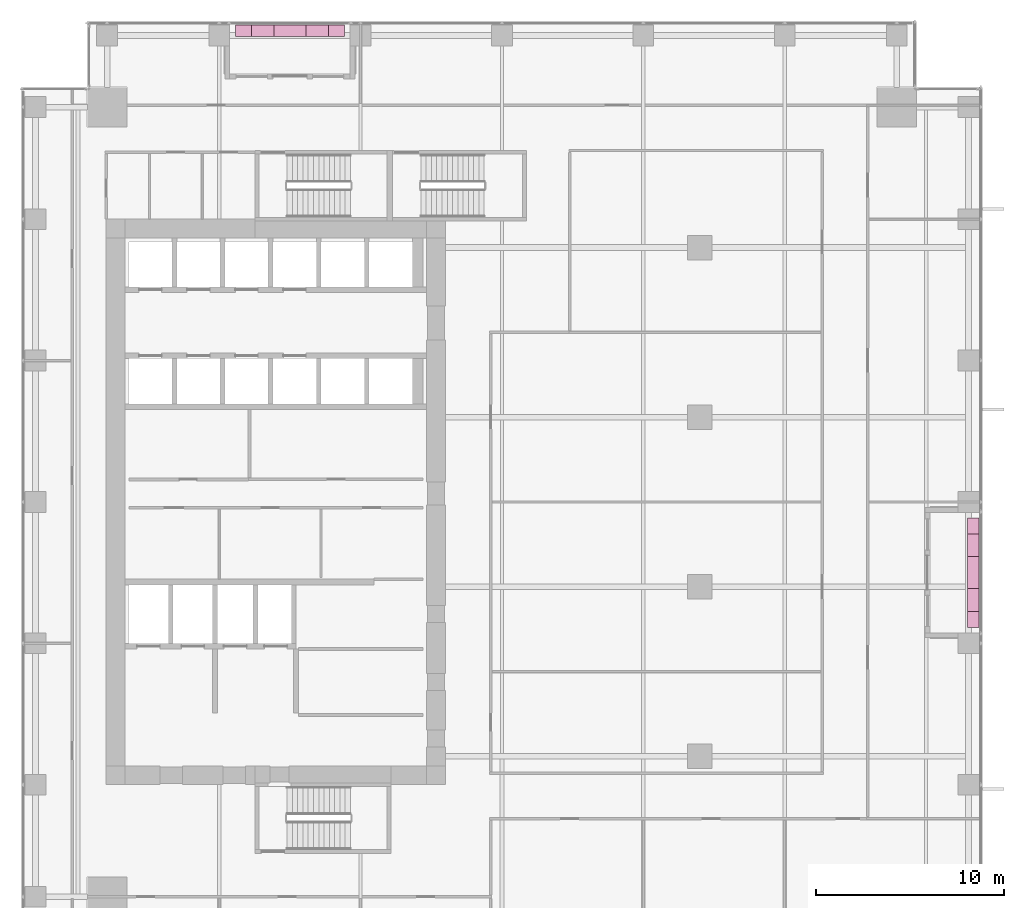
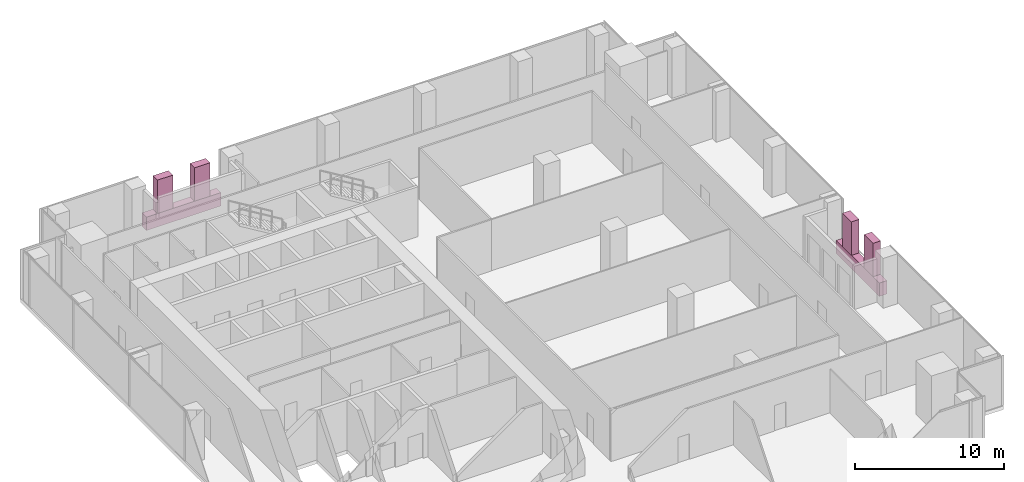
# One storey, part 34 of 34: 6 furnishings.
"""IFC4 building model written with IfcOpenShell, lengths in metres."""

from ifc_helpers import new_model, si_unit, direction, frame, origin, origin_2d, place, context, subcontext, project, spatial, rectangle, extrude, source, transform, mapped, material, type_object, element, save


model = new_model("IFC4")

# Units and contexts
model_context = context("Model", 3, precision=1e-05, world=origin(), true_north=direction((0.0, 1.0)))
body_context = subcontext(model_context, "Body", "Model", "MODEL_VIEW")
ifc_project = project(units=[si_unit("LENGTHUNIT", "METRE"), si_unit("AREAUNIT", "SQUARE_METRE"), si_unit("VOLUMEUNIT", "CUBIC_METRE"), si_unit("PLANEANGLEUNIT", "RADIAN"), si_unit("MASSUNIT", "GRAM", prefix="KILO")], contexts=[model_context])

# Site, building, storey
site_placement = place(None, origin())
site = spatial("IfcSite", under=ifc_project, at=site_placement, CompositionType="ELEMENT")
building_placement = place(site_placement, origin())
building = spatial("IfcBuilding", under=site, at=building_placement, Name="Khomas Fold Tower", CompositionType="ELEMENT")
storey_placement = place(building_placement, frame((0.0, 0.0, 105.89990234375)))
storey = spatial("IfcBuildingStorey", under=building, at=storey_placement, Name="L22", CompositionType="ELEMENT", Elevation=105.89990234375)

# Furnishings
ifc_material_1 = material(Name="Planting")
furnishing_element_type_1 = type_object("IfcFurnishingElementType", Name="BL-Tree Wild olive", material=ifc_material_1)
shared_shape_1 = source(origin(), body_context, "Body", "SweptSolid", [
    extrude(rectangle(XDim=1.199951171875, YDim=0.60009765625, at=origin_2d()), origin(), (0.0, 0.0, 1.0), 2.7451171875),
])
furnishing_1_placement = place(storey_placement, frame((14.300048828125, 52.0, 1.054931640625), z_axis=(0.0, 0.0, 1.0), x_axis=(1.0, 0.0, 0.0)))
element("IfcFurnishingElement", 1, at=furnishing_1_placement, inside=storey, type_object=furnishing_element_type_1, Name="PLANTER (TREE) Wild olive BAL-L22-N1-1", context=body_context, shape_type="MappedRepresentation", body=[
    mapped(shared_shape_1, transform((0.0, 0.0, 0.0))),
])
ifc_material_2 = material(Name="Planting")
furnishing_element_type_2 = type_object("IfcFurnishingElementType", Name="BL-Tree Shepherd's tree", material=ifc_material_2)
furnishing_2_placement = place(storey_placement, frame((17.199951171875, 52.0, 1.054931640625), z_axis=(0.0, 0.0, 1.0), x_axis=(1.0, 0.0, 0.0)))
element("IfcFurnishingElement", 2, at=furnishing_2_placement, inside=storey, type_object=furnishing_element_type_2, Name="PLANTER (TREE) Shepherd's tree BAL-L22-N1-2", context=body_context, shape_type="MappedRepresentation", body=[
    mapped(shared_shape_1, transform((0.0, 0.0, 0.0))),
])
furnishing_3_placement = place(storey_placement, frame((52.0, 21.800048828125, 1.054931640625), z_axis=(0.0, 0.0, 1.0), x_axis=(0.0, 1.0, 0.0)))
element("IfcFurnishingElement", 3, at=furnishing_3_placement, inside=storey, type_object=furnishing_element_type_1, Name="PLANTER (TREE) Wild olive BAL-L22-E2-1", context=body_context, shape_type="MappedRepresentation", body=[
    mapped(shared_shape_1, transform((0.0, 0.0, 0.0))),
])
furnishing_4_placement = place(storey_placement, frame((52.0, 24.699951171875, 1.054931640625), z_axis=(0.0, 0.0, 1.0), x_axis=(0.0, 1.0, 0.0)))
element("IfcFurnishingElement", 4, at=furnishing_4_placement, inside=storey, type_object=furnishing_element_type_2, Name="PLANTER (TREE) Shepherd's tree BAL-L22-E2-2", context=body_context, shape_type="MappedRepresentation", body=[
    mapped(shared_shape_1, transform((0.0, 0.0, 0.0))),
])
ifc_material_3 = material(Name="Precast concrete C40/50", Category="concrete")
furnishing_element_type_3 = type_object("IfcFurnishingElementType", Name="BL-Structural planter box", material=ifc_material_3)
shared_shape_2 = source(origin(), body_context, "Body", "SweptSolid", [
    extrude(rectangle(XDim=5.800048828125, YDim=0.60009765625, at=origin_2d()), origin(), (0.0, 0.0, 1.0), 1.10009765625),
])
for number, where, z_axis, x_axis, name in (
    (5, (15.75, 52.0, -0.044921875), (0.0, 0.0, 1.0), (1.0, 0.0, 0.0), "PLANTER BAL-L22-N1"),
    (6, (52.0, 23.25, -0.044921875), (0.0, 0.0, 1.0), (0.0, 1.0, 0.0), "PLANTER BAL-L22-E2"),
):
    element("IfcFurnishingElement", number, at=place(storey_placement, frame(where, z_axis=z_axis, x_axis=x_axis)), inside=storey, type_object=furnishing_element_type_3, Name=name, context=body_context, shape_type="MappedRepresentation", body=[
        mapped(shared_shape_2, transform((0.0, 0.0, 0.0))),
    ])

save(model, "model.ifc")
